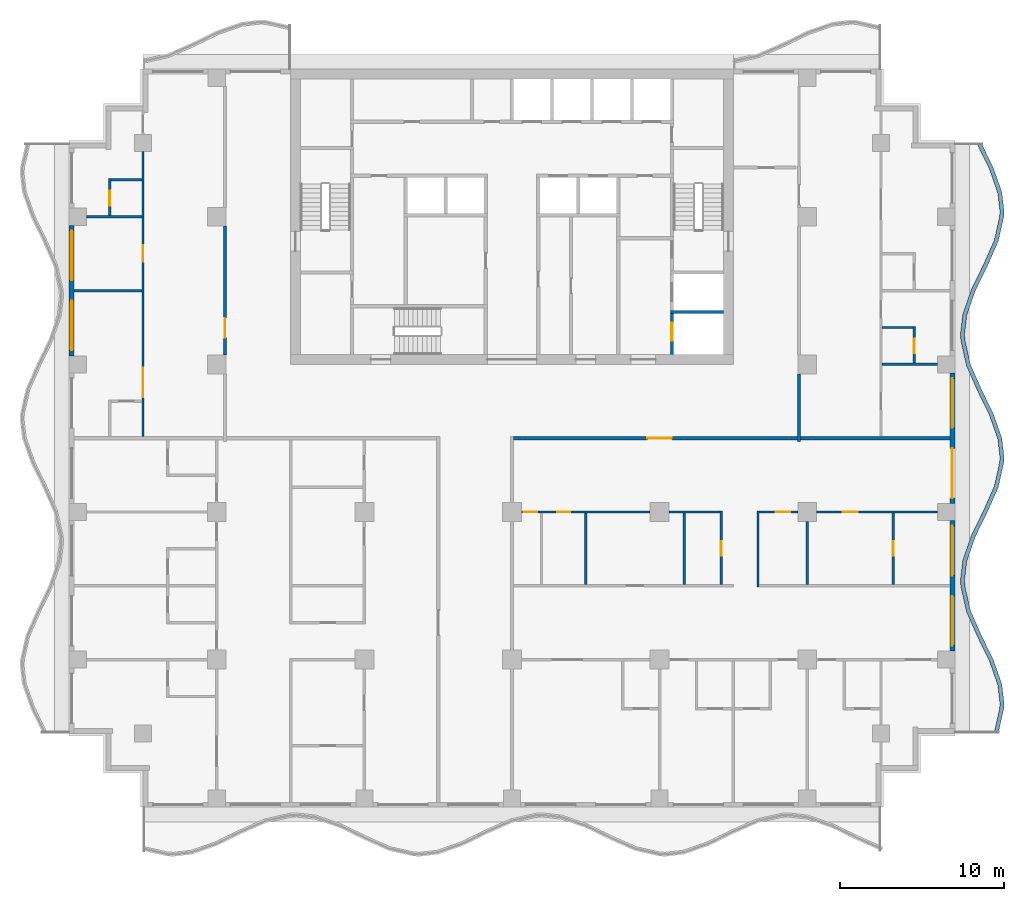
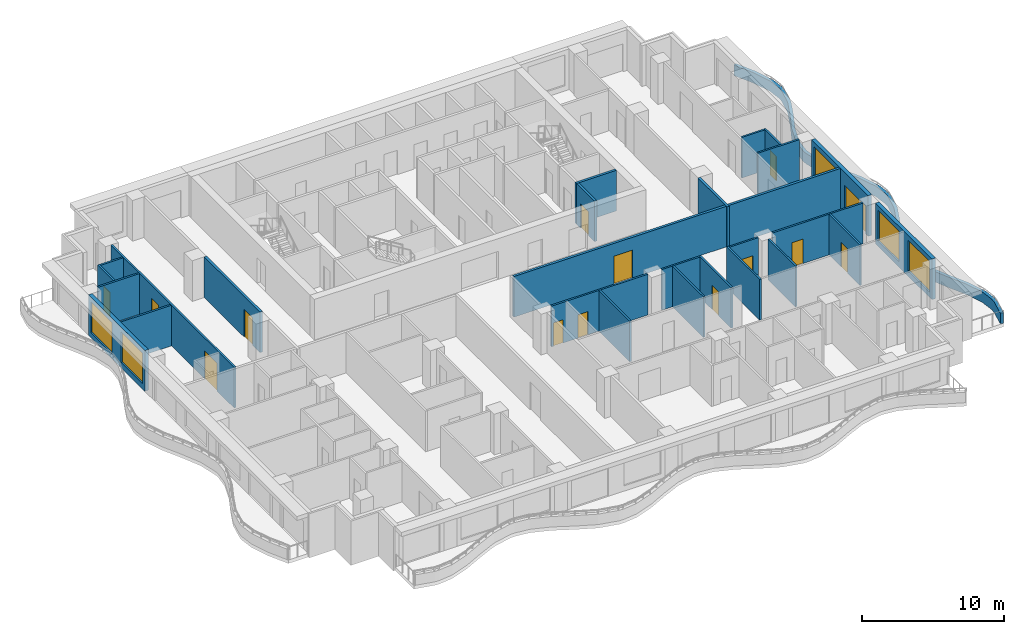
# One storey, part 4 of 11: 28 walls, 14 doors, 5 windows, 19 openings.
"""IFC4 building model written with IfcOpenShell, lengths in metres."""

from ifc_helpers import new_model, si_unit, direction, frame, frame_2d, origin, place, context, subcontext, project, spatial, polyline, rectangle, outline, extrude, material, layer, layer_set, type_object, element, fill, save


model = new_model("IFC4")

# Units and contexts
model_context = context("Model", 3, precision=1e-05, world=origin(), true_north=direction((0.0, 1.0)))
body_context = subcontext(model_context, "Body", "Model", "MODEL_VIEW")
ifc_project = project(units=[si_unit("LENGTHUNIT", "METRE"), si_unit("AREAUNIT", "SQUARE_METRE"), si_unit("VOLUMEUNIT", "CUBIC_METRE"), si_unit("PLANEANGLEUNIT", "RADIAN"), si_unit("MASSUNIT", "GRAM", prefix="KILO")], contexts=[model_context])

# Site, building, storey
site_placement = place(None, origin())
site = spatial("IfcSite", under=ifc_project, at=site_placement, CompositionType="ELEMENT")
building_placement = place(site_placement, origin())
building = spatial("IfcBuilding", under=site, at=building_placement, Name="Orbiselva Terraces", CompositionType="ELEMENT")
storey_placement = place(building_placement, frame((0.0, 0.0, 184.4)))
storey = spatial("IfcBuildingStorey", under=building, at=storey_placement, Name="L46", CompositionType="ELEMENT", Elevation=184.4)

# Wall, opening, door
ifc_material_1 = material(Name="Concrete C60/75", Category="concrete")
ifc_layer_1 = layer(ifc_material_1, 0.2)
ifc_layer_set_1 = layer_set([ifc_layer_1], Name="Concrete C60/75")
wall_type_1 = type_object("IfcWallType", Name="CORE-WALL-SHEAR-200", PredefinedType="SHEAR", material=ifc_layer_set_1)
wall_1_placement = place(storey_placement, frame((9.75, 5.1, 0.0), z_axis=(0.0, 0.0, 1.0), x_axis=(0.0, 1.0, 0.0)))
wall_1 = element("IfcWall", 1, at=wall_1_placement, inside=storey, type_object=wall_type_1, Name="L46 core wall 34", PredefinedType="SHEAR", context=body_context, shape_type="SweptSolid", body=[
    extrude(rectangle(XDim=2.5, YDim=0.2, at=frame_2d((1.25, 0.0))), origin(), (0.0, 0.0, 1.0), 3.5),
])
opening_1_placement = place(wall_1_placement, frame((0.85, 0.0, 0.0)))
opening_1 = element("IfcOpeningElement", 2, at=opening_1_placement, cuts=wall_1, Name="Opening LD-FF1", PredefinedType="OPENING", context=body_context, shape_type="SweptSolid", body=[
    extrude(rectangle(XDim=1.1, YDim=2.1, at=frame_2d((0.55, 1.05))), frame((0.0, 0.11, 0.0), z_axis=(0.0, -1.0, 0.0), x_axis=(1.0, 0.0, 0.0)), (0.0, 0.0, 1.0), 0.22),
])
ifc_material_2 = material(Name="Stainless steel landing door", Category="steel")
door_type_1 = type_object("IfcDoorType", Name="LANDING DOOR 1100", OperationType="SLIDING_TO_LEFT", PredefinedType="DOOR", material=ifc_material_2)
door_1_placement = place(opening_1_placement, origin())
door_1 = element("IfcDoor", 3, at=door_1_placement, inside=storey, type_object=door_type_1, Name="L46 landing door FF1", OperationType="SLIDING_TO_RIGHT", OverallHeight=2.1, OverallWidth=1.1, PredefinedType="DOOR", context=body_context, shape_type="SweptSolid", body=[
    extrude(rectangle(XDim=1.1, YDim=2.1, at=frame_2d((0.55, 1.05))), frame((0.0, 0.025, 0.0), z_axis=(0.0, -1.0, 0.0), x_axis=(1.0, 0.0, 0.0)), (0.0, 0.0, 1.0), 0.05),
])
fill(opening_1, door_1)

# Walls
wall_2_placement = place(storey_placement, frame((9.65, 7.7, 0.0), z_axis=(0.0, 0.0, 1.0), x_axis=(1.0, 0.0, 0.0)))
element("IfcWall", 4, at=wall_2_placement, inside=storey, type_object=wall_type_1, Name="L46 core wall 35", PredefinedType="SHEAR", context=body_context, shape_type="SweptSolid", body=[
    extrude(rectangle(XDim=3.25, YDim=0.2, at=frame_2d((1.625, 0.0))), origin(), (0.0, 0.0, 1.0), 3.5),
])
ifc_material_3 = material(Name="Concrete C40/50", Category="concrete")
ifc_layer_2 = layer(ifc_material_3, 0.25)
ifc_layer_set_2 = layer_set([ifc_layer_2], Name="Concrete C40/50")
wall_type_2 = type_object("IfcWallType", Name="ENV-PLANTER-250x900", PredefinedType="USERDEFINED", material=ifc_layer_set_2)
wall_3_placement = place(storey_placement, origin())
element("IfcWall", 5, at=wall_3_placement, inside=storey, type_object=wall_type_2, Name="Balcony planter L46 E", ObjectType="PLANTER", PredefinedType="USERDEFINED", context=body_context, shape_type="SweptSolid", body=[
    extrude(outline(polyline([(29.648528, -18.0), (29.985226, -16.5), (30.0, -16.125), (29.869208, -15.0), (29.344789, -13.5), (28.612279, -12.0), (27.951472, -10.5), (27.614774, -9.0), (27.6, -8.625), (27.730792, -7.5), (28.255211, -6.0), (28.987721, -4.5), (29.648528, -3.0), (29.985226, -1.5), (30.0, -1.125), (29.869208, 0.0), (29.344789, 1.5), (28.612279, 3.0), (27.951472, 4.5), (27.614774, 6.0), (27.6, 6.375), (27.730792, 7.5), (28.255211, 9.0), (28.987721, 10.5), (29.648528, 12.0), (29.985226, 13.5), (30.0, 13.875), (29.869208, 15.0), (29.344789, 16.5), (28.612279, 18.0), (28.387634, 17.890297), (29.113667, 16.40356), (29.624078, 14.943629), (29.749429, 13.865428), (29.736315, 13.532565), (29.40993, 12.078508), (28.760919, 10.605286), (28.024089, 9.09644), (27.485662, 7.556371), (27.349429, 6.384572), (27.365863, 5.967435), (27.712874, 4.421492), (28.385477, 2.894714), (29.113667, 1.40356), (29.624078, -0.056371), (29.749429, -1.134572), (29.736315, -1.467435), (29.40993, -2.921492), (28.760919, -4.394714), (28.024089, -5.90356), (27.485662, -7.443629), (27.349429, -8.615428), (27.365863, -9.032565), (27.712874, -10.578508), (28.385477, -12.105286), (29.113667, -13.59644), (29.624078, -15.056371), (29.749429, -16.134572), (29.736315, -16.467435), (29.404598, -17.945246), (29.648528, -18.0)])), origin(), (0.0, 0.0, 1.0), 0.9),
])

# Wall, openings, windows
ifc_material_4 = material(Name="Terracotta cladding on masonry backing", Category="masonry")
ifc_layer_3 = layer(ifc_material_4, 0.3)
ifc_layer_set_3 = layer_set([ifc_layer_3], Name="Terracotta cladding on masonry backing")
wall_type_3 = type_object("IfcWallType", Name="ENV-WALL-TERRACOTTA-300", PredefinedType="SOLIDWALL", material=ifc_layer_set_3)
wall_4_placement = place(storey_placement, frame((26.85, -5.025, 0.0), z_axis=(0.0, 0.0, 1.0), x_axis=(0.0, -1.0, 0.0)))
wall_4 = element("IfcWall", 6, at=wall_4_placement, inside=storey, type_object=wall_type_3, Name="Facade wall L46 E", PredefinedType="SOLIDWALL", context=body_context, shape_type="SweptSolid", body=[
    extrude(rectangle(XDim=7.95, YDim=0.3, at=frame_2d((3.975, 0.0))), origin(), (0.0, 0.0, 1.0), 3.5),
])
opening_2_placement = place(wall_4_placement, frame((4.6, 0.0, 0.45)))
opening_2 = element("IfcOpeningElement", 7, at=opening_2_placement, cuts=wall_4, Name="Opening WN14", PredefinedType="OPENING", context=body_context, shape_type="SweptSolid", body=[
    extrude(rectangle(XDim=3.025, YDim=2.65, at=frame_2d((1.5125, 1.325))), frame((0.0, 0.16, 0.0), z_axis=(0.0, -1.0, 0.0), x_axis=(1.0, 0.0, 0.0)), (0.0, 0.0, 1.0), 0.32),
])
opening_3_placement = place(wall_4_placement, frame((0.325, 0.0, 0.45)))
opening_3 = element("IfcOpeningElement", 8, at=opening_3_placement, cuts=wall_4, Name="Opening WN14", PredefinedType="OPENING", context=body_context, shape_type="SweptSolid", body=[
    extrude(rectangle(XDim=3.025, YDim=2.65, at=frame_2d((1.5125, 1.325))), frame((0.0, 0.16, 0.0), z_axis=(0.0, -1.0, 0.0), x_axis=(1.0, 0.0, 0.0)), (0.0, 0.0, 1.0), 0.32),
])
ifc_material_5 = material(Name="Clear low-e glazing in aluminium frame", Category="aluminium")
window_type = type_object("IfcWindowType", Name="WINDOW 3025 X 2650 S450", PartitioningType="TRIPLE_PANEL_VERTICAL", PredefinedType="WINDOW", material=ifc_material_5)
window_1_placement = place(opening_2_placement, origin())
window_1 = element("IfcWindow", 9, at=window_1_placement, inside=storey, type_object=window_type, Name="Window L46 E", OverallHeight=2.65, OverallWidth=3.025, PartitioningType="SINGLE_PANEL", PredefinedType="WINDOW", context=body_context, shape_type="SweptSolid", body=[
    extrude(rectangle(XDim=3.025, YDim=2.65, at=frame_2d((1.5125, 1.325))), frame((0.0, 0.03, 0.0), z_axis=(0.0, -1.0, 0.0), x_axis=(1.0, 0.0, 0.0)), (0.0, 0.0, 1.0), 0.06),
])
fill(opening_2, window_1)
window_2_placement = place(opening_3_placement, origin())
window_2 = element("IfcWindow", 10, at=window_2_placement, inside=storey, type_object=window_type, Name="Window L46 E", OverallHeight=2.65, OverallWidth=3.025, PartitioningType="SINGLE_PANEL", PredefinedType="WINDOW", context=body_context, shape_type="SweptSolid", body=[
    extrude(rectangle(XDim=3.025, YDim=2.65, at=frame_2d((1.5125, 1.325))), frame((0.0, 0.03, 0.0), z_axis=(0.0, -1.0, 0.0), x_axis=(1.0, 0.0, 0.0)), (0.0, 0.0, 1.0), 0.06),
])
fill(opening_3, window_2)

# Wall, openings, door, window
wall_5_placement = place(storey_placement, frame((26.85, 3.975, 0.0), z_axis=(0.0, 0.0, 1.0), x_axis=(0.0, -1.0, 0.0)))
wall_5 = element("IfcWall", 11, at=wall_5_placement, inside=storey, type_object=wall_type_3, Name="Facade wall L46 E", PredefinedType="SOLIDWALL", context=body_context, shape_type="SweptSolid", body=[
    extrude(rectangle(XDim=7.95, YDim=0.3, at=frame_2d((3.975, 0.0))), origin(), (0.0, 0.0, 1.0), 3.5),
])
opening_4_placement = place(wall_5_placement, frame((4.6, 0.0, 0.0)))
opening_4 = element("IfcOpeningElement", 12, at=opening_4_placement, cuts=wall_5, Name="Opening Z4-A-E06", PredefinedType="OPENING", context=body_context, shape_type="SweptSolid", body=[
    extrude(rectangle(XDim=3.025, YDim=2.4, at=frame_2d((1.5125, 1.2))), frame((0.0, 0.16, 0.0), z_axis=(0.0, -1.0, 0.0), x_axis=(1.0, 0.0, 0.0)), (0.0, 0.0, 1.0), 0.32),
])
opening_5_placement = place(wall_5_placement, frame((0.325, 0.0, 0.45)))
opening_5 = element("IfcOpeningElement", 13, at=opening_5_placement, cuts=wall_5, Name="Opening WN14", PredefinedType="OPENING", context=body_context, shape_type="SweptSolid", body=[
    extrude(rectangle(XDim=3.025, YDim=2.65, at=frame_2d((1.5125, 1.325))), frame((0.0, 0.16, 0.0), z_axis=(0.0, -1.0, 0.0), x_axis=(1.0, 0.0, 0.0)), (0.0, 0.0, 1.0), 0.32),
])
door_type_2 = type_object("IfcDoorType", Name="BALCONY DOOR 3025 X 2400", OperationType="DOUBLE_DOOR_SLIDING", PredefinedType="DOOR", material=ifc_material_5)
door_2_placement = place(opening_4_placement, origin())
door_2 = element("IfcDoor", 14, at=door_2_placement, inside=storey, type_object=door_type_2, Name="Z4-A-E06", OperationType="SINGLE_SWING_LEFT", OverallHeight=2.4, OverallWidth=3.025, PredefinedType="DOOR", context=body_context, shape_type="SweptSolid", body=[
    extrude(rectangle(XDim=3.025, YDim=2.4, at=frame_2d((1.5125, 1.2))), frame((0.0, 0.025, 0.0), z_axis=(0.0, -1.0, 0.0), x_axis=(1.0, 0.0, 0.0)), (0.0, 0.0, 1.0), 0.05),
])
fill(opening_4, door_2)
window_3_placement = place(opening_5_placement, origin())
window_3 = element("IfcWindow", 15, at=window_3_placement, inside=storey, type_object=window_type, Name="Window L46 E", OverallHeight=2.65, OverallWidth=3.025, PartitioningType="SINGLE_PANEL", PredefinedType="WINDOW", context=body_context, shape_type="SweptSolid", body=[
    extrude(rectangle(XDim=3.025, YDim=2.65, at=frame_2d((1.5125, 1.325))), frame((0.0, 0.03, 0.0), z_axis=(0.0, -1.0, 0.0), x_axis=(1.0, 0.0, 0.0)), (0.0, 0.0, 1.0), 0.06),
])
fill(opening_5, window_3)

# Wall, openings, windows
wall_6_placement = place(storey_placement, frame((-26.85, 5.025, 0.0), z_axis=(0.0, 0.0, 1.0), x_axis=(0.0, 1.0, 0.0)))
wall_6 = element("IfcWall", 16, at=wall_6_placement, inside=storey, type_object=wall_type_3, Name="Facade wall L46 W", PredefinedType="SOLIDWALL", context=body_context, shape_type="SweptSolid", body=[
    extrude(rectangle(XDim=7.95, YDim=0.3, at=frame_2d((3.975, 0.0))), origin(), (0.0, 0.0, 1.0), 3.5),
])
opening_6_placement = place(wall_6_placement, frame((4.6, 0.0, 0.45)))
opening_6 = element("IfcOpeningElement", 17, at=opening_6_placement, cuts=wall_6, Name="Opening WN14", PredefinedType="OPENING", context=body_context, shape_type="SweptSolid", body=[
    extrude(rectangle(XDim=3.025, YDim=2.65, at=frame_2d((1.5125, 1.325))), frame((0.0, 0.16, 0.0), z_axis=(0.0, -1.0, 0.0), x_axis=(1.0, 0.0, 0.0)), (0.0, 0.0, 1.0), 0.32),
])
opening_7_placement = place(wall_6_placement, frame((0.325, 0.0, 0.45)))
opening_7 = element("IfcOpeningElement", 18, at=opening_7_placement, cuts=wall_6, Name="Opening WN14", PredefinedType="OPENING", context=body_context, shape_type="SweptSolid", body=[
    extrude(rectangle(XDim=3.025, YDim=2.65, at=frame_2d((1.5125, 1.325))), frame((0.0, 0.16, 0.0), z_axis=(0.0, -1.0, 0.0), x_axis=(1.0, 0.0, 0.0)), (0.0, 0.0, 1.0), 0.32),
])
window_4_placement = place(opening_6_placement, origin())
window_4 = element("IfcWindow", 19, at=window_4_placement, inside=storey, type_object=window_type, Name="Window L46 W", OverallHeight=2.65, OverallWidth=3.025, PartitioningType="SINGLE_PANEL", PredefinedType="WINDOW", context=body_context, shape_type="SweptSolid", body=[
    extrude(rectangle(XDim=3.025, YDim=2.65, at=frame_2d((1.5125, 1.325))), frame((0.0, 0.03, 0.0), z_axis=(0.0, -1.0, 0.0), x_axis=(1.0, 0.0, 0.0)), (0.0, 0.0, 1.0), 0.06),
])
fill(opening_6, window_4)
window_5_placement = place(opening_7_placement, origin())
window_5 = element("IfcWindow", 20, at=window_5_placement, inside=storey, type_object=window_type, Name="Window L46 W", OverallHeight=2.65, OverallWidth=3.025, PartitioningType="SINGLE_PANEL", PredefinedType="WINDOW", context=body_context, shape_type="SweptSolid", body=[
    extrude(rectangle(XDim=3.025, YDim=2.65, at=frame_2d((1.5125, 1.325))), frame((0.0, 0.03, 0.0), z_axis=(0.0, -1.0, 0.0), x_axis=(1.0, 0.0, 0.0)), (0.0, 0.0, 1.0), 0.06),
])
fill(opening_7, window_5)

# Wall, opening, door
ifc_material_6 = material(Name="Plasterboard on steel stud partition", Category="steel")
ifc_layer_4 = layer(ifc_material_6, 0.2)
ifc_layer_set_4 = layer_set([ifc_layer_4], Name="Plasterboard on steel stud partition")
wall_type_4 = type_object("IfcWallType", Name="UNIT-ENTRANCE-WALL-200", PredefinedType="PARTITIONING", material=ifc_layer_set_4)
wall_7_placement = place(storey_placement, frame((17.4, 0.0, 0.0), z_axis=(0.0, 0.0, 1.0), x_axis=(-1.0, 0.0, 0.0)))
wall_7 = element("IfcWall", 21, at=wall_7_placement, inside=storey, type_object=wall_type_4, Name="PARTITION L46-028", PredefinedType="PARTITIONING", context=body_context, shape_type="SweptSolid", body=[
    extrude(rectangle(XDim=17.3, YDim=0.2, at=frame_2d((8.65, 0.0))), origin(), (0.0, 0.0, 1.0), 3.5),
])
opening_8_placement = place(wall_7_placement, frame((7.65, 0.0, 0.0)))
opening_8 = element("IfcOpeningElement", 22, at=opening_8_placement, cuts=wall_7, Name="Opening Z4-A-28", PredefinedType="OPENING", context=body_context, shape_type="SweptSolid", body=[
    extrude(rectangle(XDim=1.5, YDim=2.4, at=frame_2d((0.75, 1.2))), frame((0.0, 0.11, 0.0), z_axis=(0.0, -1.0, 0.0), x_axis=(1.0, 0.0, 0.0)), (0.0, 0.0, 1.0), 0.22),
])
ifc_material_7 = material(Name="Painted timber door leaf", Category="wood")
door_type_3 = type_object("IfcDoorType", Name="ENTRANCE DOUBLE DOOR 1500", OperationType="NOTDEFINED", PredefinedType="DOOR", material=ifc_material_7)
door_3_placement = place(opening_8_placement, origin())
door_3 = element("IfcDoor", 23, at=door_3_placement, inside=storey, type_object=door_type_3, Name="Z4-A-28", OperationType="DOUBLE_DOOR_SINGLE_SWING", OverallHeight=2.4, OverallWidth=1.5, PredefinedType="DOOR", context=body_context, shape_type="SweptSolid", body=[
    extrude(rectangle(XDim=1.5, YDim=2.4, at=frame_2d((0.75, 1.2))), frame((0.0, 0.025, 0.0), z_axis=(0.0, -1.0, 0.0), x_axis=(1.0, 0.0, 0.0)), (0.0, 0.0, 1.0), 0.05),
])
fill(opening_8, door_3)

wall_8_placement = place(storey_placement, frame((-17.5, 5.075, 0.0), z_axis=(0.0, 0.0, 1.0), x_axis=(0.0, 1.0, 0.0)))
wall_8 = element("IfcWall", 24, at=wall_8_placement, inside=storey, type_object=wall_type_4, Name="PARTITION L46-051", PredefinedType="PARTITIONING", context=body_context, shape_type="SweptSolid", body=[
    extrude(rectangle(XDim=7.85, YDim=0.2, at=frame_2d((3.925, 0.0))), origin(), (0.0, 0.0, 1.0), 3.5),
])
opening_9_placement = place(wall_8_placement, frame((1.05, 0.0, 0.0)))
opening_9 = element("IfcOpeningElement", 25, at=opening_9_placement, cuts=wall_8, Name="Opening Z4-A-02", PredefinedType="OPENING", context=body_context, shape_type="SweptSolid", body=[
    extrude(rectangle(XDim=1.2, YDim=2.4, at=frame_2d((0.6, 1.2))), frame((0.0, 0.11, 0.0), z_axis=(0.0, -1.0, 0.0), x_axis=(1.0, 0.0, 0.0)), (0.0, 0.0, 1.0), 0.22),
])
door_type_4 = type_object("IfcDoorType", Name="ENTRANCE DOOR 1200", OperationType="NOTDEFINED", PredefinedType="DOOR", material=ifc_material_7)
door_4_placement = place(opening_9_placement, origin())
door_4 = element("IfcDoor", 26, at=door_4_placement, inside=storey, type_object=door_type_4, Name="Z4-A-02", OperationType="SINGLE_SWING_LEFT", OverallHeight=2.4, OverallWidth=1.2, PredefinedType="DOOR", context=body_context, shape_type="SweptSolid", body=[
    extrude(rectangle(XDim=1.2, YDim=2.4, at=frame_2d((0.6, 1.2))), frame((0.0, 0.025, 0.0), z_axis=(0.0, -1.0, 0.0), x_axis=(1.0, 0.0, 0.0)), (0.0, 0.0, 1.0), 0.05),
])
fill(opening_9, door_4)

# Wall
wall_9_placement = place(storey_placement, frame((17.5, -0.2, 0.0), z_axis=(0.0, 0.0, 1.0), x_axis=(0.0, 1.0, 0.0)))
element("IfcWall", 27, at=wall_9_placement, inside=storey, type_object=wall_type_4, Name="PARTITION L46-072", PredefinedType="PARTITIONING", context=body_context, shape_type="SweptSolid", body=[
    extrude(rectangle(XDim=4.125, YDim=0.2, at=frame_2d((2.0625, 0.0))), origin(), (0.0, 0.0, 1.0), 3.5),
])

# Wall, openings, doors
ifc_layer_5 = layer(ifc_material_6, 0.15)
ifc_layer_set_5 = layer_set([ifc_layer_5], Name="Plasterboard on steel stud partition")
wall_type_5 = type_object("IfcWallType", Name="UNIT-PARTITION-150", PredefinedType="PARTITIONING", material=ifc_layer_set_5)
wall_10_placement = place(storey_placement, frame((8.425, -4.5, 0.0), z_axis=(0.0, 0.0, 1.0), x_axis=(-1.0, 0.0, 0.0)))
wall_10 = element("IfcWall", 28, at=wall_10_placement, inside=storey, type_object=wall_type_5, Name="PARTITION L46-021", PredefinedType="PARTITIONING", context=body_context, shape_type="SweptSolid", body=[
    extrude(rectangle(XDim=7.85, YDim=0.15, at=frame_2d((3.925, 0.0))), origin(), (0.0, 0.0, 1.0), 3.5),
])
opening_10_placement = place(wall_10_placement, frame((6.9, 0.0, 0.0)))
opening_10 = element("IfcOpeningElement", 29, at=opening_10_placement, cuts=wall_10, Name="Opening Z4-A-29", PredefinedType="OPENING", context=body_context, shape_type="SweptSolid", body=[
    extrude(rectangle(XDim=0.8, YDim=2.0, at=frame_2d((0.4, 1.0))), frame((0.0, 0.085, 0.0), z_axis=(0.0, -1.0, 0.0), x_axis=(1.0, 0.0, 0.0)), (0.0, 0.0, 1.0), 0.17),
])
opening_11_placement = place(wall_10_placement, frame((4.875, 0.0, 0.0)))
opening_11 = element("IfcOpeningElement", 30, at=opening_11_placement, cuts=wall_10, Name="Opening Z4-A-30", PredefinedType="OPENING", context=body_context, shape_type="SweptSolid", body=[
    extrude(rectangle(XDim=0.8, YDim=2.0, at=frame_2d((0.4, 1.0))), frame((0.0, 0.085, 0.0), z_axis=(0.0, -1.0, 0.0), x_axis=(1.0, 0.0, 0.0)), (0.0, 0.0, 1.0), 0.17),
])
door_type_5 = type_object("IfcDoorType", Name="STORE DOOR 800", OperationType="NOTDEFINED", PredefinedType="DOOR", material=ifc_material_7)
door_5_placement = place(opening_10_placement, origin())
door_5 = element("IfcDoor", 31, at=door_5_placement, inside=storey, type_object=door_type_5, Name="Z4-A-29", OperationType="SINGLE_SWING_RIGHT", OverallHeight=2.0, OverallWidth=0.8, PredefinedType="DOOR", context=body_context, shape_type="SweptSolid", body=[
    extrude(rectangle(XDim=0.8, YDim=2.0, at=frame_2d((0.4, 1.0))), frame((0.0, 0.025, 0.0), z_axis=(0.0, -1.0, 0.0), x_axis=(1.0, 0.0, 0.0)), (0.0, 0.0, 1.0), 0.05),
])
fill(opening_10, door_5)
door_6_placement = place(opening_11_placement, origin())
door_6 = element("IfcDoor", 32, at=door_6_placement, inside=storey, type_object=door_type_5, Name="Z4-A-30", OperationType="SINGLE_SWING_RIGHT", OverallHeight=2.0, OverallWidth=0.8, PredefinedType="DOOR", context=body_context, shape_type="SweptSolid", body=[
    extrude(rectangle(XDim=0.8, YDim=2.0, at=frame_2d((0.4, 1.0))), frame((0.0, 0.025, 0.0), z_axis=(0.0, -1.0, 0.0), x_axis=(1.0, 0.0, 0.0)), (0.0, 0.0, 1.0), 0.05),
])
fill(opening_11, door_6)

# Wall
wall_11_placement = place(storey_placement, frame((9.575, -4.5, 0.0), z_axis=(0.0, 0.0, 1.0), x_axis=(1.0, 0.0, 0.0)))
element("IfcWall", 33, at=wall_11_placement, inside=storey, type_object=wall_type_5, Name="PARTITION L46-022", PredefinedType="PARTITIONING", context=body_context, shape_type="SweptSolid", body=[
    extrude(rectangle(XDim=3.1, YDim=0.15, at=frame_2d((1.55, 0.0))), origin(), (0.0, 0.0, 1.0), 3.5),
])

# Wall, opening, door
wall_12_placement = place(storey_placement, frame((17.425, -4.5, 0.0), z_axis=(0.0, 0.0, 1.0), x_axis=(-1.0, 0.0, 0.0)))
wall_12 = element("IfcWall", 34, at=wall_12_placement, inside=storey, type_object=wall_type_5, Name="PARTITION L46-023", PredefinedType="PARTITIONING", context=body_context, shape_type="SweptSolid", body=[
    extrude(rectangle(XDim=2.35, YDim=0.15, at=frame_2d((1.175, 0.0))), origin(), (0.0, 0.0, 1.0), 3.5),
])
opening_12_placement = place(wall_12_placement, frame((0.45, 0.0, 0.0)))
opening_12 = element("IfcOpeningElement", 35, at=opening_12_placement, cuts=wall_12, Name="Opening Z4-A-33", PredefinedType="OPENING", context=body_context, shape_type="SweptSolid", body=[
    extrude(rectangle(XDim=0.9, YDim=2.1, at=frame_2d((0.45, 1.05))), frame((0.0, 0.085, 0.0), z_axis=(0.0, -1.0, 0.0), x_axis=(1.0, 0.0, 0.0)), (0.0, 0.0, 1.0), 0.17),
])
door_type_6 = type_object("IfcDoorType", Name="SERVICE DOOR 900", OperationType="NOTDEFINED", PredefinedType="DOOR", material=ifc_material_7)
door_7_placement = place(opening_12_placement, origin())
door_7 = element("IfcDoor", 36, at=door_7_placement, inside=storey, type_object=door_type_6, Name="Z4-A-33", OperationType="SINGLE_SWING_LEFT", OverallHeight=2.1, OverallWidth=0.9, PredefinedType="DOOR", context=body_context, shape_type="SweptSolid", body=[
    extrude(rectangle(XDim=0.9, YDim=2.1, at=frame_2d((0.45, 1.05))), frame((0.0, 0.025, 0.0), z_axis=(0.0, -1.0, 0.0), x_axis=(1.0, 0.0, 0.0)), (0.0, 0.0, 1.0), 0.05),
])
fill(opening_12, door_7)

wall_13_placement = place(storey_placement, frame((25.95, -4.5, 0.0), z_axis=(0.0, 0.0, 1.0), x_axis=(-1.0, 0.0, 0.0)))
wall_13 = element("IfcWall", 37, at=wall_13_placement, inside=storey, type_object=wall_type_5, Name="PARTITION L46-024", PredefinedType="PARTITIONING", context=body_context, shape_type="SweptSolid", body=[
    extrude(rectangle(XDim=7.375, YDim=0.15, at=frame_2d((3.6875, 0.0))), origin(), (0.0, 0.0, 1.0), 3.5),
])
opening_13_placement = place(wall_13_placement, frame((4.875, 0.0, 0.0)))
opening_13 = element("IfcOpeningElement", 38, at=opening_13_placement, cuts=wall_13, Name="Opening Z4-A-34", PredefinedType="OPENING", context=body_context, shape_type="SweptSolid", body=[
    extrude(rectangle(XDim=0.9, YDim=2.1, at=frame_2d((0.45, 1.05))), frame((0.0, 0.085, 0.0), z_axis=(0.0, -1.0, 0.0), x_axis=(1.0, 0.0, 0.0)), (0.0, 0.0, 1.0), 0.17),
])
door_8_placement = place(opening_13_placement, origin())
door_8 = element("IfcDoor", 39, at=door_8_placement, inside=storey, type_object=door_type_6, Name="Z4-A-34", OperationType="SINGLE_SWING_RIGHT", OverallHeight=2.1, OverallWidth=0.9, PredefinedType="DOOR", context=body_context, shape_type="SweptSolid", body=[
    extrude(rectangle(XDim=0.9, YDim=2.1, at=frame_2d((0.45, 1.05))), frame((0.0, 0.025, 0.0), z_axis=(0.0, -1.0, 0.0), x_axis=(1.0, 0.0, 0.0)), (0.0, 0.0, 1.0), 0.05),
])
fill(opening_13, door_8)

# Walls
wall_14_placement = place(storey_placement, frame((22.575, 4.5, 0.0), z_axis=(0.0, 0.0, 1.0), x_axis=(1.0, 0.0, 0.0)))
element("IfcWall", 40, at=wall_14_placement, inside=storey, type_object=wall_type_5, Name="PARTITION L46-032", PredefinedType="PARTITIONING", context=body_context, shape_type="SweptSolid", body=[
    extrude(rectangle(XDim=3.375, YDim=0.15, at=frame_2d((1.6875, 0.0))), origin(), (0.0, 0.0, 1.0), 3.5),
])
wall_15_placement = place(storey_placement, frame((22.575, 6.75, 0.0), z_axis=(0.0, 0.0, 1.0), x_axis=(1.0, 0.0, 0.0)))
element("IfcWall", 41, at=wall_15_placement, inside=storey, type_object=wall_type_5, Name="PARTITION L46-033", PredefinedType="PARTITIONING", context=body_context, shape_type="SweptSolid", body=[
    extrude(rectangle(XDim=1.875, YDim=0.15, at=frame_2d((0.9375, 0.0))), origin(), (0.0, 0.0, 1.0), 3.5),
])
wall_16_placement = place(storey_placement, frame((-26.7, 9.0, 0.0), z_axis=(0.0, 0.0, 1.0), x_axis=(1.0, 0.0, 0.0)))
element("IfcWall", 42, at=wall_16_placement, inside=storey, type_object=wall_type_5, Name="PARTITION L46-034", PredefinedType="PARTITIONING", context=body_context, shape_type="SweptSolid", body=[
    extrude(rectangle(XDim=4.125, YDim=0.15, at=frame_2d((2.0625, 0.0))), origin(), (0.0, 0.0, 1.0), 3.5),
])
wall_17_placement = place(storey_placement, frame((-25.95, 13.5, 0.0), z_axis=(0.0, 0.0, 1.0), x_axis=(1.0, 0.0, 0.0)))
element("IfcWall", 43, at=wall_17_placement, inside=storey, type_object=wall_type_5, Name="PARTITION L46-037", PredefinedType="PARTITIONING", context=body_context, shape_type="SweptSolid", body=[
    extrude(rectangle(XDim=3.375, YDim=0.15, at=frame_2d((1.6875, 0.0))), origin(), (0.0, 0.0, 1.0), 3.5),
])
wall_18_placement = place(storey_placement, frame((-24.45, 15.75, 0.0), z_axis=(0.0, 0.0, 1.0), x_axis=(1.0, 0.0, 0.0)))
element("IfcWall", 44, at=wall_18_placement, inside=storey, type_object=wall_type_5, Name="PARTITION L46-038", PredefinedType="PARTITIONING", context=body_context, shape_type="SweptSolid", body=[
    extrude(rectangle(XDim=1.875, YDim=0.15, at=frame_2d((0.9375, 0.0))), origin(), (0.0, 0.0, 1.0), 3.5),
])

# Wall, opening, door
wall_19_placement = place(storey_placement, frame((-24.525, 15.825, 0.0), z_axis=(0.0, 0.0, 1.0), x_axis=(0.0, -1.0, 0.0)))
wall_19 = element("IfcWall", 45, at=wall_19_placement, inside=storey, type_object=wall_type_5, Name="PARTITION L46-041", PredefinedType="PARTITIONING", context=body_context, shape_type="SweptSolid", body=[
    extrude(rectangle(XDim=2.25, YDim=0.15, at=frame_2d((1.125, 0.0))), origin(), (0.0, 0.0, 1.0), 3.5),
])
opening_14_placement = place(wall_19_placement, frame((0.75, 0.0, 0.0)))
opening_14 = element("IfcOpeningElement", 46, at=opening_14_placement, cuts=wall_19, Name="Opening Z4-A-07", PredefinedType="OPENING", context=body_context, shape_type="SweptSolid", body=[
    extrude(rectangle(XDim=0.9, YDim=2.1, at=frame_2d((0.45, 1.05))), frame((0.0, 0.085, 0.0), z_axis=(0.0, -1.0, 0.0), x_axis=(1.0, 0.0, 0.0)), (0.0, 0.0, 1.0), 0.17),
])
door_type_7 = type_object("IfcDoorType", Name="BATH DOOR 900", OperationType="NOTDEFINED", PredefinedType="DOOR", material=ifc_material_7)
door_9_placement = place(opening_14_placement, origin())
door_9 = element("IfcDoor", 47, at=door_9_placement, inside=storey, type_object=door_type_7, Name="Z4-A-07", OperationType="SINGLE_SWING_RIGHT", OverallHeight=2.1, OverallWidth=0.9, PredefinedType="DOOR", context=body_context, shape_type="SweptSolid", body=[
    extrude(rectangle(XDim=0.9, YDim=2.1, at=frame_2d((0.45, 1.05))), frame((0.0, 0.025, 0.0), z_axis=(0.0, -1.0, 0.0), x_axis=(1.0, 0.0, 0.0)), (0.0, 0.0, 1.0), 0.05),
])
fill(opening_14, door_9)

# Wall, openings, doors
wall_20_placement = place(storey_placement, frame((-22.5, 0.1, 0.0), z_axis=(0.0, 0.0, 1.0), x_axis=(0.0, 1.0, 0.0)))
wall_20 = element("IfcWall", 48, at=wall_20_placement, inside=storey, type_object=wall_type_5, Name="PARTITION L46-042", PredefinedType="PARTITIONING", context=body_context, shape_type="SweptSolid", body=[
    extrude(rectangle(XDim=17.375, YDim=0.15, at=frame_2d((8.6875, 0.0))), origin(), (0.0, 0.0, 1.0), 3.5),
])
opening_15_placement = place(wall_20_placement, frame((2.4, 0.0, 0.0)))
opening_15 = element("IfcOpeningElement", 49, at=opening_15_placement, cuts=wall_20, Name="Opening Z4-A-03", PredefinedType="OPENING", context=body_context, shape_type="SweptSolid", body=[
    extrude(rectangle(XDim=1.8, YDim=2.4, at=frame_2d((0.9, 1.2))), frame((0.0, 0.085, 0.0), z_axis=(0.0, -1.0, 0.0), x_axis=(1.0, 0.0, 0.0)), (0.0, 0.0, 1.0), 0.17),
])
opening_16_placement = place(wall_20_placement, frame((10.65, 0.0, 0.0)))
opening_16 = element("IfcOpeningElement", 50, at=opening_16_placement, cuts=wall_20, Name="Opening Z4-A-05", PredefinedType="OPENING", context=body_context, shape_type="SweptSolid", body=[
    extrude(rectangle(XDim=1.0, YDim=2.4, at=frame_2d((0.5, 1.2))), frame((0.0, 0.085, 0.0), z_axis=(0.0, -1.0, 0.0), x_axis=(1.0, 0.0, 0.0)), (0.0, 0.0, 1.0), 0.17),
])
door_type_8 = type_object("IfcDoorType", Name="DOUBLE DOOR 1800", OperationType="NOTDEFINED", PredefinedType="DOOR", material=ifc_material_7)
door_10_placement = place(opening_15_placement, origin())
door_10 = element("IfcDoor", 51, at=door_10_placement, inside=storey, type_object=door_type_8, Name="Z4-A-03", OperationType="DOUBLE_DOOR_SINGLE_SWING", OverallHeight=2.4, OverallWidth=1.8, PredefinedType="DOOR", context=body_context, shape_type="SweptSolid", body=[
    extrude(rectangle(XDim=1.8, YDim=2.4, at=frame_2d((0.9, 1.2))), frame((0.0, 0.025, 0.0), z_axis=(0.0, -1.0, 0.0), x_axis=(1.0, 0.0, 0.0)), (0.0, 0.0, 1.0), 0.05),
])
fill(opening_15, door_10)
door_type_9 = type_object("IfcDoorType", Name="ROOM DOOR 1000", OperationType="NOTDEFINED", PredefinedType="DOOR", material=ifc_material_7)
door_11_placement = place(opening_16_placement, origin())
door_11 = element("IfcDoor", 52, at=door_11_placement, inside=storey, type_object=door_type_9, Name="Z4-A-05", OperationType="SINGLE_SWING_RIGHT", OverallHeight=2.4, OverallWidth=1.0, PredefinedType="DOOR", context=body_context, shape_type="SweptSolid", body=[
    extrude(rectangle(XDim=1.0, YDim=2.4, at=frame_2d((0.5, 1.2))), frame((0.0, 0.025, 0.0), z_axis=(0.0, -1.0, 0.0), x_axis=(1.0, 0.0, 0.0)), (0.0, 0.0, 1.0), 0.05),
])
fill(opening_16, door_11)

# Walls
for number, where, z_axis, x_axis, name in (
    (53, (4.5, -8.925, 0.0), (0.0, 0.0, 1.0), (0.0, 1.0, 0.0), "PARTITION L46-063"),
    (54, (10.5, -8.925, 0.0), (0.0, 0.0, 1.0), (0.0, 1.0, 0.0), "PARTITION L46-066"),
):
    element("IfcWall", number, at=place(storey_placement, frame(where, z_axis=z_axis, x_axis=x_axis)), inside=storey, type_object=wall_type_5, Name=name, PredefinedType="PARTITIONING", context=body_context, shape_type="SweptSolid", body=[
        extrude(rectangle(XDim=4.35, YDim=0.15, at=frame_2d((2.175, 0.0))), origin(), (0.0, 0.0, 1.0), 3.5),
    ])

# Wall, opening, door
wall_21_placement = place(storey_placement, frame((12.75, -8.925, 0.0), z_axis=(0.0, 0.0, 1.0), x_axis=(0.0, 1.0, 0.0)))
wall_21 = element("IfcWall", 55, at=wall_21_placement, inside=storey, type_object=wall_type_5, Name="PARTITION L46-068", PredefinedType="PARTITIONING", context=body_context, shape_type="SweptSolid", body=[
    extrude(rectangle(XDim=4.5, YDim=0.15, at=frame_2d((2.25, 0.0))), origin(), (0.0, 0.0, 1.0), 3.5),
])
opening_17_placement = place(wall_21_placement, frame((1.75, 0.0, 0.0)))
opening_17 = element("IfcOpeningElement", 56, at=opening_17_placement, cuts=wall_21, Name="Opening Z4-A-32", PredefinedType="OPENING", context=body_context, shape_type="SweptSolid", body=[
    extrude(rectangle(XDim=0.9, YDim=2.1, at=frame_2d((0.45, 1.05))), frame((0.0, 0.085, 0.0), z_axis=(0.0, -1.0, 0.0), x_axis=(1.0, 0.0, 0.0)), (0.0, 0.0, 1.0), 0.17),
])
door_12_placement = place(opening_17_placement, origin())
door_12 = element("IfcDoor", 57, at=door_12_placement, inside=storey, type_object=door_type_7, Name="Z4-A-32", OperationType="SINGLE_SWING_LEFT", OverallHeight=2.1, OverallWidth=0.9, PredefinedType="DOOR", context=body_context, shape_type="SweptSolid", body=[
    extrude(rectangle(XDim=0.9, YDim=2.1, at=frame_2d((0.45, 1.05))), frame((0.0, 0.025, 0.0), z_axis=(0.0, -1.0, 0.0), x_axis=(1.0, 0.0, 0.0)), (0.0, 0.0, 1.0), 0.05),
])
fill(opening_17, door_12)

# Walls
wall_22_placement = place(storey_placement, frame((15.0, -9.075, 0.0), z_axis=(0.0, 0.0, 1.0), x_axis=(0.0, 1.0, 0.0)))
element("IfcWall", 58, at=wall_22_placement, inside=storey, type_object=wall_type_5, Name="PARTITION L46-070", PredefinedType="PARTITIONING", context=body_context, shape_type="SweptSolid", body=[
    extrude(rectangle(XDim=4.65, YDim=0.15, at=frame_2d((2.325, 0.0))), origin(), (0.0, 0.0, 1.0), 3.5),
])
wall_23_placement = place(storey_placement, frame((18.0, -8.925, 0.0), z_axis=(0.0, 0.0, 1.0), x_axis=(0.0, 1.0, 0.0)))
element("IfcWall", 59, at=wall_23_placement, inside=storey, type_object=wall_type_5, Name="PARTITION L46-077", PredefinedType="PARTITIONING", context=body_context, shape_type="SweptSolid", body=[
    extrude(rectangle(XDim=3.85, YDim=0.15, at=frame_2d((1.925, 0.0))), origin(), (0.0, 0.0, 1.0), 3.5),
])

# Wall, opening, door
wall_24_placement = place(storey_placement, frame((23.25, -4.575, 0.0), z_axis=(0.0, 0.0, 1.0), x_axis=(0.0, -1.0, 0.0)))
wall_24 = element("IfcWall", 60, at=wall_24_placement, inside=storey, type_object=wall_type_5, Name="PARTITION L46-083", PredefinedType="PARTITIONING", context=body_context, shape_type="SweptSolid", body=[
    extrude(rectangle(XDim=4.35, YDim=0.15, at=frame_2d((2.175, 0.0))), origin(), (0.0, 0.0, 1.0), 3.5),
])
opening_18_placement = place(wall_24_placement, frame((1.7, 0.0, 0.0)))
opening_18 = element("IfcOpeningElement", 61, at=opening_18_placement, cuts=wall_24, Name="Opening Z4-A-35", PredefinedType="OPENING", context=body_context, shape_type="SweptSolid", body=[
    extrude(rectangle(XDim=0.9, YDim=2.1, at=frame_2d((0.45, 1.05))), frame((0.0, 0.085, 0.0), z_axis=(0.0, -1.0, 0.0), x_axis=(1.0, 0.0, 0.0)), (0.0, 0.0, 1.0), 0.17),
])
door_13_placement = place(opening_18_placement, origin())
door_13 = element("IfcDoor", 62, at=door_13_placement, inside=storey, type_object=door_type_7, Name="Z4-A-35", OperationType="SINGLE_SWING_LEFT", OverallHeight=2.1, OverallWidth=0.9, PredefinedType="DOOR", context=body_context, shape_type="SweptSolid", body=[
    extrude(rectangle(XDim=0.9, YDim=2.1, at=frame_2d((0.45, 1.05))), frame((0.0, 0.025, 0.0), z_axis=(0.0, -1.0, 0.0), x_axis=(1.0, 0.0, 0.0)), (0.0, 0.0, 1.0), 0.05),
])
fill(opening_18, door_13)

wall_25_placement = place(storey_placement, frame((24.525, 4.575, 0.0), z_axis=(0.0, 0.0, 1.0), x_axis=(0.0, 1.0, 0.0)))
wall_25 = element("IfcWall", 63, at=wall_25_placement, inside=storey, type_object=wall_type_5, Name="PARTITION L46-084", PredefinedType="PARTITIONING", context=body_context, shape_type="SweptSolid", body=[
    extrude(rectangle(XDim=2.25, YDim=0.15, at=frame_2d((1.125, 0.0))), origin(), (0.0, 0.0, 1.0), 3.5),
])
opening_19_placement = place(wall_25_placement, frame((0.6, 0.0, 0.0)))
opening_19 = element("IfcOpeningElement", 64, at=opening_19_placement, cuts=wall_25, Name="Opening Z4-A-11", PredefinedType="OPENING", context=body_context, shape_type="SweptSolid", body=[
    extrude(rectangle(XDim=0.9, YDim=2.1, at=frame_2d((0.45, 1.05))), frame((0.0, 0.085, 0.0), z_axis=(0.0, -1.0, 0.0), x_axis=(1.0, 0.0, 0.0)), (0.0, 0.0, 1.0), 0.17),
])
door_14_placement = place(opening_19_placement, origin())
door_14 = element("IfcDoor", 65, at=door_14_placement, inside=storey, type_object=door_type_7, Name="Z4-A-11", OperationType="SINGLE_SWING_LEFT", OverallHeight=2.1, OverallWidth=0.9, PredefinedType="DOOR", context=body_context, shape_type="SweptSolid", body=[
    extrude(rectangle(XDim=0.9, YDim=2.1, at=frame_2d((0.45, 1.05))), frame((0.0, 0.025, 0.0), z_axis=(0.0, -1.0, 0.0), x_axis=(1.0, 0.0, 0.0)), (0.0, 0.0, 1.0), 0.05),
])
fill(opening_19, door_14)

# Wall
ifc_layer_6 = layer(ifc_material_6, 0.2)
ifc_layer_set_6 = layer_set([ifc_layer_6], Name="Plasterboard on steel stud partition")
wall_type_6 = type_object("IfcWallType", Name="UNIT-PARTY-WALL-200", PredefinedType="PARTITIONING", material=ifc_layer_set_6)
wall_26_placement = place(storey_placement, frame((17.6, 0.0, 0.0), z_axis=(0.0, 0.0, 1.0), x_axis=(1.0, 0.0, 0.0)))
element("IfcWall", 66, at=wall_26_placement, inside=storey, type_object=wall_type_6, Name="PARTITION L46-030", PredefinedType="PARTITIONING", context=body_context, shape_type="SweptSolid", body=[
    extrude(rectangle(XDim=9.1, YDim=0.2, at=frame_2d((4.55, 0.0))), origin(), (0.0, 0.0, 1.0), 3.5),
])

save(model, "model.ifc")
